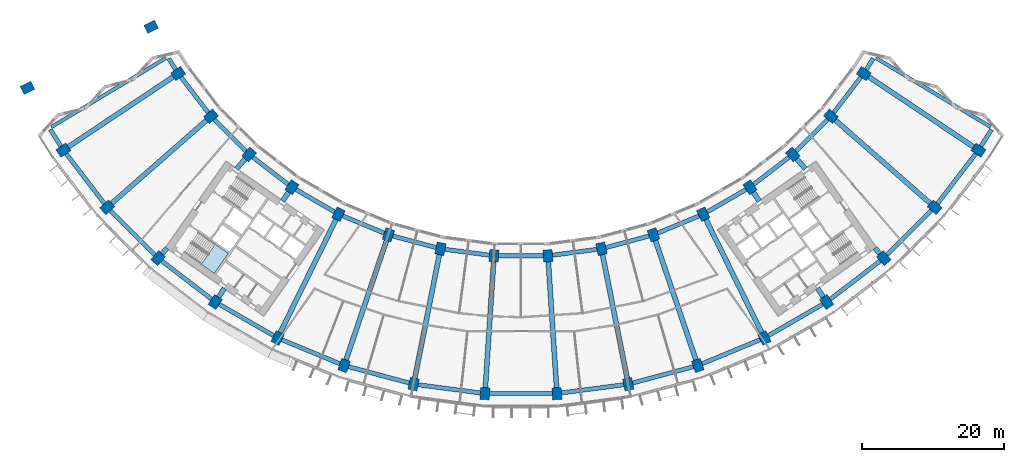
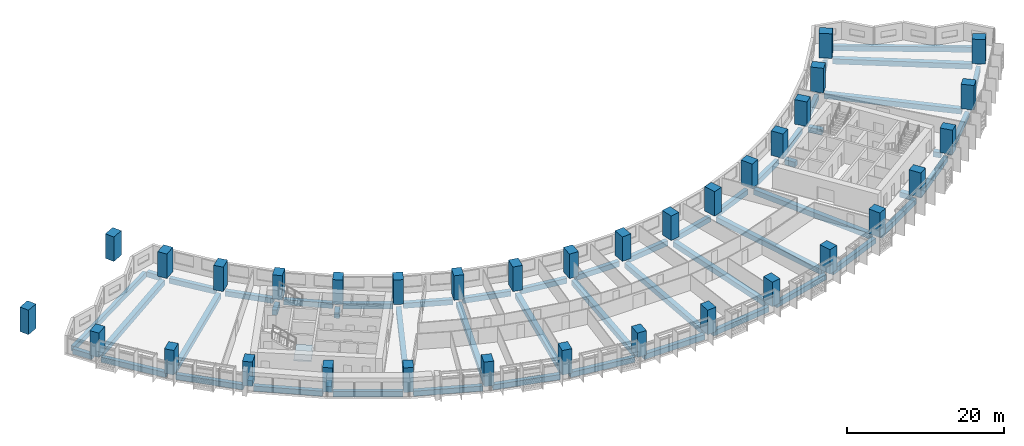
# One storey, part 1 of 31: 56 beams, 34 columns, 1 slab, 1 element without a shape of its own.
"""IFC4 building model written with IfcOpenShell, lengths in metres."""

import ifcopenshell
import ifcopenshell.guid

model = None  # the IFC model being written
_history = None  # IfcOwnerHistory: only IFC2X3 demands one
_inside = {}  # id of a spatial element -> (the spatial element, [elements in it])
_under = {}  # id of a project, library or spatial element -> (it, [spatial elements below it])
_declared = {}  # id of a project -> (the project, [libraries it declares])
_typed = {}  # id of a type object -> (the type object, [elements of that type])
_made_of = {}  # id of a material, layer set ... -> (it, [elements and type objects made of it])


def new_model(schema):
    """Start an empty IFC model of exactly this schema.

    Asked for "IFC4X3", IfcOpenShell would pick the latest addendum, in which some entities
    have other attributes; the version numbers below select the first issue.
    IFC2X3 requires an IfcOwnerHistory on every rooted entity: one is made here for all.
    """
    global model, _history
    if schema == "IFC4X3":
        model = ifcopenshell.file(schema_version=(4, 3, 0, 0))
    else:
        model = ifcopenshell.file(schema=schema)
    _inside.clear()
    _under.clear()
    _declared.clear()
    _typed.clear()
    _made_of.clear()
    _history = None
    if model.schema == "IFC2X3":
        org = make("IfcOrganization", Name="unknown")
        user = make(
            "IfcPersonAndOrganization",
            ThePerson=make("IfcPerson", FamilyName="unknown"),
            TheOrganization=org,
        )
        app = make(
            "IfcApplication",
            ApplicationDeveloper=org,
            Version="unknown",
            ApplicationFullName="unknown",
            ApplicationIdentifier="unknown",
        )
        _history = make(
            "IfcOwnerHistory",
            OwningUser=user,
            OwningApplication=app,
            ChangeAction="ADDED",
            CreationDate=0,
        )
    return model


def make(cls, **values):
    """One entity of the class cls with the attributes given. An attribute that is None is left unset."""
    return model.create_entity(
        cls, **{name: value for name, value in values.items() if value is not None}
    )


def rooted(cls, **values):
    """An entity with a GlobalId (a new one), such as an element, a storey or a relation."""
    return make(cls, GlobalId=ifcopenshell.guid.new(), OwnerHistory=_history, **values)


def si_unit(unit_type, name, prefix=None):
    """IfcSIUnit, for example si_unit("LENGTHUNIT", "METRE", prefix="MILLI")."""
    return make("IfcSIUnit", UnitType=unit_type, Prefix=prefix, Name=name)


def assignment(units):
    """IfcUnitAssignment: the units of a project."""
    return None if units is None else make("IfcUnitAssignment", Units=units)


def point(xyz):
    """IfcCartesianPoint."""
    return None if xyz is None else make("IfcCartesianPoint", Coordinates=xyz)


def direction(xyz):
    """IfcDirection."""
    return None if xyz is None else make("IfcDirection", DirectionRatios=xyz)


def frame(location, z_axis=None, x_axis=None):
    """IfcAxis2Placement3D, a coordinate frame: its origin and axes. An axis left out is left unset."""
    return make(
        "IfcAxis2Placement3D",
        Location=point(location),
        Axis=direction(z_axis),
        RefDirection=direction(x_axis),
    )


def frame_2d(location, x_axis=None):
    """IfcAxis2Placement2D, a coordinate frame in the plane: its origin and x axis."""
    return make(
        "IfcAxis2Placement2D", Location=point(location), RefDirection=direction(x_axis)
    )


def origin():
    """The frame at (0, 0, 0) with its axes left unset."""
    return frame((0.0, 0.0, 0.0))


def origin_2d():
    """The frame at (0, 0) in the plane with its x axis left unset."""
    return frame_2d((0.0, 0.0))


def place(relative_to, where):
    """IfcLocalPlacement: puts the frame where relative to a parent placement (None: the world)."""
    return make(
        "IfcLocalPlacement", PlacementRelTo=relative_to, RelativePlacement=where
    )


def context(
    kind, dimensions, precision=None, world=None, true_north=None, identifier=None
):
    """IfcGeometricRepresentationContext, for example the 3D "Model" context."""
    return make(
        "IfcGeometricRepresentationContext",
        ContextIdentifier=identifier,
        ContextType=kind,
        CoordinateSpaceDimension=dimensions,
        Precision=precision,
        WorldCoordinateSystem=world,
        TrueNorth=true_north,
    )


def subcontext(parent, identifier, kind, view, scale=None):
    """IfcGeometricRepresentationSubContext, for example "Body" below "Model"."""
    return make(
        "IfcGeometricRepresentationSubContext",
        ContextIdentifier=identifier,
        ContextType=kind,
        ParentContext=parent,
        TargetScale=scale,
        TargetView=view,
    )


def project(units=None, contexts=None):
    """IfcProject with its units and contexts."""
    return rooted(
        "IfcProject",
        Name="project",
        RepresentationContexts=contexts,
        UnitsInContext=assignment(units),
    )


def spatial(cls, under=None, at=None, **own):
    """A site, building, storey or space (cls), placed at a placement, below another one or the project."""
    s = rooted(cls, ObjectPlacement=at, **own)
    if under is not None:
        _under.setdefault(under.id(), (under, []))[1].append(s)
    return s


def polyline(points):
    """IfcPolyline through the points."""
    return make("IfcPolyline", Points=[point(p) for p in points])


def profile(cls, at=None, kind="AREA", **sizes):
    """A parametric profile (cls). Its sizes go by their IFC names, for example OverallWidth=200.0."""
    return make(cls, ProfileType=kind, Position=at, **sizes)


def rectangle(**sizes):
    """IfcRectangleProfileDef."""
    return profile("IfcRectangleProfileDef", **sizes)


def outline(outer, holes=None, kind="AREA"):
    """IfcArbitraryClosedProfileDef: a profile drawn as a closed curve; with holes, ...WithVoids."""
    if holes is None:
        return make("IfcArbitraryClosedProfileDef", ProfileType=kind, OuterCurve=outer)
    return make(
        "IfcArbitraryProfileDefWithVoids",
        ProfileType=kind,
        OuterCurve=outer,
        InnerCurves=holes,
    )


def extrude(swept, where, along, depth):
    """IfcExtrudedAreaSolid: the profile swept, set in the frame where, extruded along a direction by depth."""
    return make(
        "IfcExtrudedAreaSolid",
        SweptArea=swept,
        Position=where,
        ExtrudedDirection=direction(along),
        Depth=depth,
    )


def shape(context_of_items, identifier, shape_type, items):
    """IfcShapeRepresentation: the items that make up one representation, for example the "Body"."""
    return make(
        "IfcShapeRepresentation",
        ContextOfItems=context_of_items,
        RepresentationIdentifier=identifier,
        RepresentationType=shape_type,
        Items=items,
    )


def material(Name=None, Category=None):
    """IfcMaterial."""
    return make("IfcMaterial", Name=Name, Category=Category)


def layer(
    of_material, thickness, ventilated=None, Name=None, Category=None, Priority=None
):
    """IfcMaterialLayer: one layer of a wall or slab, of a material (None: an air gap)."""
    return make(
        "IfcMaterialLayer",
        Material=of_material,
        LayerThickness=thickness,
        IsVentilated=ventilated,
        Name=Name,
        Category=Category,
        Priority=Priority,
    )


def layer_set(layers, Name=None):
    """IfcMaterialLayerSet."""
    return make("IfcMaterialLayerSet", MaterialLayers=layers, LayerSetName=Name)


def material_profile(
    of_material, cross_section, Name=None, Category=None, Priority=None
):
    """IfcMaterialProfile: a cross section and its material."""
    return make(
        "IfcMaterialProfile",
        Name=Name,
        Material=of_material,
        Profile=cross_section,
        Priority=Priority,
        Category=Category,
    )


def profile_set(profiles, Name=None, composite=None):
    """IfcMaterialProfileSet."""
    return make(
        "IfcMaterialProfileSet",
        Name=Name,
        MaterialProfiles=profiles,
        CompositeProfile=composite,
    )


def made_of(thing, what):
    """Note that an element or type object is made of a material, layer set ...; save() writes the relation."""
    if what is not None:
        _made_of.setdefault(what.id(), (what, []))[1].append(thing)
    return thing


def type_object(cls, material=None, **own):
    """A type object (cls), such as IfcWallType, which elements share."""
    return made_of(rooted(cls, **own), material)


def element(
    cls,
    number,
    at=None,
    inside=None,
    cuts=None,
    type_object=None,
    material=None,
    context=None,
    identifier="Body",
    shape_type=None,
    held_by="IfcProductDefinitionShape",
    body=None,
    shapes=None,
    **own,
):
    """One element of the class cls, such as IfcWall. Its Tag is "e" and its number.

    at: its placement. inside: the storey or other place that contains it. cuts: it is an
    opening in that element (IfcRelVoidsElement). A single representation is given by context,
    identifier, shape_type and body (its items); several are given by shapes. held_by: the class
    of the entity that holds the representations. save() writes the other relations.
    """
    e = rooted(cls, Tag="e%d" % number, ObjectPlacement=at, **own)
    if body is not None:
        shapes = [shape(context, identifier, shape_type, body)]
    if shapes is not None:
        e.Representation = make(held_by, Representations=shapes)
    if inside is not None:
        _inside.setdefault(inside.id(), (inside, []))[1].append(e)
    if cuts is not None:
        rooted(
            "IfcRelVoidsElement", RelatingBuildingElement=cuts, RelatedOpeningElement=e
        )
    if type_object is not None:
        _typed.setdefault(type_object.id(), (type_object, []))[1].append(e)
    return made_of(e, material)


def aggregate(whole, parts):
    """IfcRelAggregates: a whole, such as a stair, and the parts it consists of."""
    return rooted("IfcRelAggregates", RelatingObject=whole, RelatedObjects=parts)


def save(model, path):
    """Write the relations noted so far, then the file.

    IfcRelAggregates (storeys below a building ...), IfcRelContainedInSpatialStructure (elements
    in a storey), IfcRelDefinesByType, IfcRelAssociatesMaterial and IfcRelDeclares: one each for
    every whole, place, type object, material and project.
    """
    for whole, parts in _under.values():
        aggregate(whole, parts)
    for where, things in _inside.values():
        rooted(
            "IfcRelContainedInSpatialStructure",
            RelatedElements=things,
            RelatingStructure=where,
        )
    for kind, things in _typed.values():
        rooted("IfcRelDefinesByType", RelatedObjects=things, RelatingType=kind)
    for what, things in _made_of.values():
        rooted("IfcRelAssociatesMaterial", RelatedObjects=things, RelatingMaterial=what)
    for by, libraries in _declared.values():
        rooted("IfcRelDeclares", RelatingContext=by, RelatedDefinitions=libraries)
    model.write(path)


model = new_model("IFC4")

# Units and contexts
model_context = context("Model", 3, precision=1e-05, world=origin(), true_north=direction((0.0, 1.0)))
body_context = subcontext(model_context, "Body", "Model", "MODEL_VIEW")
ifc_project = project(units=[si_unit("LENGTHUNIT", "METRE"), si_unit("AREAUNIT", "SQUARE_METRE"), si_unit("VOLUMEUNIT", "CUBIC_METRE"), si_unit("PLANEANGLEUNIT", "RADIAN"), si_unit("MASSUNIT", "GRAM", prefix="KILO")], contexts=[model_context])

# Site, building, storey
site_placement = place(None, origin())
site = spatial("IfcSite", under=ifc_project, at=site_placement, CompositionType="ELEMENT")
building_placement = place(site_placement, origin())
building = spatial("IfcBuilding", under=site, at=building_placement, Name="Qamariyya Broadcast Tower", CompositionType="ELEMENT")
storey_placement = place(building_placement, frame((0.0, 0.0, 86.10009765625)))
storey = spatial("IfcBuildingStorey", under=building, at=storey_placement, Name="L18", CompositionType="ELEMENT", Elevation=86.10009765625)

# Columns
ifc_material_1 = material(Name="Concrete C70/85", Category="concrete")
ifc_material_profile_1 = material_profile(ifc_material_1, rectangle(XDim=1.300048828125, YDim=1.699951171875, at=origin_2d()))
ifc_profile_set_1 = profile_set([ifc_material_profile_1], Name="Concrete C70/85")
column_type = type_object("IfcColumnType", Name="RC column 1300 x 1700 C70/85", PredefinedType="COLUMN", material=ifc_profile_set_1)
for number, where, z_axis, x_axis, name in (
    (1, (-48.43310546875, -32.362060546875, 0.0), (0.0, 0.0, 1.0), (0.55557023302, -0.831469612303, 0.0), "Column C5 L18 B-R03"),
    (2, (-64.646728515625, -43.195556640625, 0.0), (0.0, 0.0, 1.0), (0.55557023302, -0.831469612303, 0.0), "Column C5 L18 C-R03"),
    (3, (-43.794677734375, -38.406982421875, 0.0), (0.0, 0.0, 1.0), (0.6593458151, -0.751839807479, 0.0), "Column C5 L18 B-R04"),
    (4, (-58.45556640625, -51.26416015625, 0.0), (0.0, 0.0, 1.0), (0.6593458151, -0.751839807479, 0.0), "Column C5 L18 C-R04"),
    (5, (-38.406982421875, -43.794677734375, 0.0), (0.0, 0.0, 1.0), (0.751839807479, -0.6593458151, 0.0), "Column C5 L18 B-R05"),
    (6, (-51.26416015625, -58.45556640625, 0.0), (0.0, 0.0, 1.0), (0.751839807479, -0.6593458151, 0.0), "Column C5 L18 C-R05"),
    (7, (-32.362060546875, -48.43310546875, 0.0), (0.0, 0.0, 1.0), (0.831469612303, -0.55557023302, 0.0), "Column C5 L18 B-R06"),
    (8, (-43.195556640625, -64.646728515625, 0.0), (0.0, 0.0, 1.0), (0.831469612303, -0.55557023302, 0.0), "Column C5 L18 C-R06"),
    (9, (-25.763427734375, -52.242919921875, 0.0), (0.0, 0.0, 1.0), (0.896872741533, -0.442288690219, 0.0), "Column C5 L18 B-R07"),
    (10, (-34.387939453125, -69.73193359375, 0.0), (0.0, 0.0, 1.0), (0.896872741533, -0.442288690219, 0.0), "Column C5 L18 C-R07"),
    (11, (-18.723876953125, -55.15869140625, 0.0), (0.0, 0.0, 1.0), (0.946930129495, -0.321439465303, 0.0), "Column C5 L18 B-R08"),
    (12, (-24.991943359375, -73.623779296875, 0.0), (0.0, 0.0, 1.0), (0.946930129495, -0.321439465303, 0.0), "Column C5 L18 C-R08"),
    (13, (-11.364013671875, -57.130859375, 0.0), (0.0, 0.0, 1.0), (0.980785280403, -0.195090322016, 0.0), "Column C5 L18 B-R09"),
    (14, (-15.168212890625, -76.256103515625, 0.0), (0.0, 0.0, 1.0), (0.980785280403, -0.195090322016, 0.0), "Column C5 L18 C-R09"),
    (15, (-3.809814453125, -58.125244140625, 0.0), (0.0, 0.0, 1.0), (0.997858923239, -0.06540312923, 0.0), "Column C5 L18 B-R10"),
    (16, (-5.085205078125, -77.58349609375, 0.0), (0.0, 0.0, 1.0), (0.997858923239, -0.06540312923, 0.0), "Column C5 L18 C-R10"),
    (17, (3.809814453125, -58.125244140625, 0.0), (0.0, 0.0, 1.0), (0.997858923239, 0.06540312923, 0.0), "Column C5 L18 B-R11"),
    (18, (5.085205078125, -77.58349609375, 0.0), (0.0, 0.0, 1.0), (0.997858923239, 0.06540312923, 0.0), "Column C5 L18 C-R11"),
    (19, (11.364013671875, -57.130859375, 0.0), (0.0, 0.0, 1.0), (0.980785280403, 0.195090322016, 0.0), "Column C5 L18 B-R12"),
    (20, (15.168212890625, -76.256103515625, 0.0), (0.0, 0.0, 1.0), (0.980785280403, 0.195090322016, 0.0), "Column C5 L18 C-R12"),
    (21, (18.723876953125, -55.15869140625, 0.0), (0.0, 0.0, 1.0), (0.946930129495, 0.321439465303, 0.0), "Column C5 L18 B-R13"),
    (22, (24.991943359375, -73.623779296875, 0.0), (0.0, 0.0, 1.0), (0.946930129495, 0.321439465303, 0.0), "Column C5 L18 C-R13"),
    (23, (25.763427734375, -52.242919921875, 0.0), (0.0, 0.0, 1.0), (0.896872741533, 0.442288690219, 0.0), "Column C5 L18 B-R14"),
    (24, (34.387939453125, -69.73193359375, 0.0), (0.0, 0.0, 1.0), (0.896872741533, 0.442288690219, 0.0), "Column C5 L18 C-R14"),
    (25, (32.362060546875, -48.43310546875, 0.0), (0.0, 0.0, 1.0), (0.831469612303, 0.55557023302, 0.0), "Column C5 L18 B-R15"),
    (26, (43.195556640625, -64.646728515625, 0.0), (0.0, 0.0, 1.0), (0.831469612303, 0.55557023302, 0.0), "Column C5 L18 C-R15"),
    (27, (38.406982421875, -43.794677734375, 0.0), (0.0, 0.0, 1.0), (0.751839807479, 0.6593458151, 0.0), "Column C5 L18 B-R16"),
    (28, (51.26416015625, -58.45556640625, 0.0), (0.0, 0.0, 1.0), (0.751839807479, 0.6593458151, 0.0), "Column C5 L18 C-R16"),
    (29, (43.794677734375, -38.406982421875, 0.0), (0.0, 0.0, 1.0), (0.6593458151, 0.751839807479, 0.0), "Column C5 L18 B-R17"),
    (30, (58.45556640625, -51.26416015625, 0.0), (0.0, 0.0, 1.0), (0.6593458151, 0.751839807479, 0.0), "Column C5 L18 C-R17"),
    (31, (48.43310546875, -32.362060546875, 0.0), (0.0, 0.0, 1.0), (0.55557023302, 0.831469612303, 0.0), "Column C5 L18 B-R18"),
    (32, (64.646728515625, -43.195556640625, 0.0), (0.0, 0.0, 1.0), (0.55557023302, 0.831469612303, 0.0), "Column C5 L18 C-R18"),
    (33, (-52.242919921875, -25.763427734375, 0.0), (0.0, 0.0, 1.0), (0.442288690219, -0.896872741533, 0.0), "Column C5 L18 B-R02"),
    (34, (-69.73193359375, -34.387939453125, 0.0), (0.0, 0.0, 1.0), (0.442288690219, -0.896872741533, 0.0), "Column C5 L18 C-R02"),
):
    element("IfcColumn", number, at=place(storey_placement, frame(where, z_axis=z_axis, x_axis=x_axis)), inside=storey, type_object=column_type, Name=name, PredefinedType="COLUMN", context=body_context, shape_type="SweptSolid", body=[
        extrude(rectangle(XDim=1.300048828125, YDim=1.699951171875, at=origin_2d()), origin(), (0.0, 0.0, 1.0), 3.7998046875),
    ])

# Beams
ifc_material_2 = material(Name="Concrete C50/60", Category="concrete")
ifc_material_profile_2 = material_profile(ifc_material_2, rectangle(XDim=0.60009765625, YDim=0.800048828125, at=origin_2d()))
ifc_profile_set_2 = profile_set([ifc_material_profile_2], Name="Concrete C50/60")
beam_type_1 = type_object("IfcBeamType", Name="RC edge beam 600 x 800 C50/60", PredefinedType="SPANDREL", material=ifc_profile_set_2)
beam_1_placement = place(storey_placement, frame((-48.03662109375, -32.878662109375, -0.7001953125), z_axis=(0.608763348773, -0.7933518672, 0.0), x_axis=(0.7933518672, 0.608763348773, 0.0)))
element("IfcBeam", 35, at=beam_1_placement, inside=storey, type_object=beam_type_1, Name="Edge beam B6 L18 B R03-R04", PredefinedType="SPANDREL", context=body_context, shape_type="SweptSolid", body=[
    extrude(rectangle(XDim=0.60009765625, YDim=0.800048828125, at=origin_2d()), origin(), (0.0, 0.0, 1.0), 6.31689453125),
])
beam_2_placement = place(storey_placement, frame((-43.333984375, -38.867431640625, -0.7001953125), z_axis=(0.707106781187, -0.707106781187, 0.0), x_axis=(0.707106781187, 0.707106781187, 0.0)))
element("IfcBeam", 36, at=beam_2_placement, inside=storey, type_object=beam_type_1, Name="Edge beam B6 L18 B R04-R05", PredefinedType="SPANDREL", context=body_context, shape_type="SweptSolid", body=[
    extrude(rectangle(XDim=0.60009765625, YDim=0.800048828125, at=origin_2d()), origin(), (0.0, 0.0, 1.0), 6.316650390625),
])
for number, where, z_axis, x_axis, name in (
    (37, (-37.89013671875, -44.191162109375, -0.7001953125), (0.7933518672, -0.608763348773, 0.0), (0.608763348773, 0.7933518672, 0.0), "Edge beam B6 L18 B R05-R06"),
    (38, (-31.7978515625, -48.7587890625, -0.7001953125), (0.866020173512, -0.500009058987, 0.0), (0.500009058987, 0.866020173512, 0.0), "Edge beam B6 L18 B R06-R07"),
):
    element("IfcBeam", number, at=place(storey_placement, frame(where, z_axis=z_axis, x_axis=x_axis)), inside=storey, type_object=beam_type_1, Name=name, PredefinedType="SPANDREL", context=body_context, shape_type="SweptSolid", body=[
        extrude(rectangle(XDim=0.60009765625, YDim=0.800048828125, at=origin_2d()), origin(), (0.0, 0.0, 1.0), 6.31689453125),
    ])
for number, where, z_axis, x_axis, name in (
    (39, (-25.16162109375, -52.4921875, -0.7001953125), (0.923884465345, -0.382671523234, 0.0), (0.382671523234, 0.923884465345, 0.0), "Edge beam B6 L18 B R07-R08"),
    (40, (-18.0947265625, -55.327392578125, -0.7001953125), (0.965931490327, -0.258797905699, 0.0), (0.258797905699, 0.965931490327, 0.0), "Edge beam B6 L18 B R08-R09"),
    (41, (-10.71826171875, -57.2158203125, -0.7001953125), (0.991445610946, -0.130520498525, 0.0), (0.130520498525, 0.991445610946, 0.0), "Edge beam B6 L18 B R09-R10"),
):
    element("IfcBeam", number, at=place(storey_placement, frame(where, z_axis=z_axis, x_axis=x_axis)), inside=storey, type_object=beam_type_1, Name=name, PredefinedType="SPANDREL", context=body_context, shape_type="SweptSolid", body=[
        extrude(rectangle(XDim=0.60009765625, YDim=0.800048828125, at=origin_2d()), origin(), (0.0, 0.0, 1.0), 6.316650390625),
    ])
beam_3_placement = place(storey_placement, frame((-3.158447265625, -58.125244140625, -0.7001953125), z_axis=(1.0, 0.0, 0.0), x_axis=(0.0, 1.0, 0.0)))
element("IfcBeam", 42, at=beam_3_placement, inside=storey, type_object=beam_type_1, Name="Edge beam B6 L18 B R10-R11", PredefinedType="SPANDREL", context=body_context, shape_type="SweptSolid", body=[
    extrude(rectangle(XDim=0.60009765625, YDim=0.800048828125, at=origin_2d()), origin(), (0.0, 0.0, 1.0), 6.31689453125),
])
for number, where, z_axis, x_axis, name in (
    (43, (4.45556640625, -58.040283203125, -0.7001953125), (0.991445610946, 0.130520498525, 0.0), (-0.130520498525, 0.991445610946, 0.0), "Edge beam B6 L18 B R11-R12"),
    (44, (11.9931640625, -56.962158203125, -0.7001953125), (0.965931490327, 0.258797905699, 0.0), (-0.258797905699, 0.965931490327, 0.0), "Edge beam B6 L18 B R12-R13"),
    (45, (19.32568359375, -54.909423828125, -0.7001953125), (0.923884465345, 0.382671523234, 0.0), (-0.382671523234, 0.923884465345, 0.0), "Edge beam B6 L18 B R13-R14"),
):
    element("IfcBeam", number, at=place(storey_placement, frame(where, z_axis=z_axis, x_axis=x_axis)), inside=storey, type_object=beam_type_1, Name=name, PredefinedType="SPANDREL", context=body_context, shape_type="SweptSolid", body=[
        extrude(rectangle(XDim=0.60009765625, YDim=0.800048828125, at=origin_2d()), origin(), (0.0, 0.0, 1.0), 6.316650390625),
    ])
for number, where, z_axis, x_axis, name in (
    (46, (26.327392578125, -51.917236328125, -0.7001953125), (0.866020173512, 0.500009058987, 0.0), (-0.500009058987, 0.866020173512, 0.0), "Edge beam B6 L18 B R14-R15"),
    (47, (32.878662109375, -48.03662109375, -0.7001953125), (0.7933518672, 0.608763348773, 0.0), (-0.608763348773, 0.7933518672, 0.0), "Edge beam B6 L18 B R15-R16"),
):
    element("IfcBeam", number, at=place(storey_placement, frame(where, z_axis=z_axis, x_axis=x_axis)), inside=storey, type_object=beam_type_1, Name=name, PredefinedType="SPANDREL", context=body_context, shape_type="SweptSolid", body=[
        extrude(rectangle(XDim=0.60009765625, YDim=0.800048828125, at=origin_2d()), origin(), (0.0, 0.0, 1.0), 6.31689453125),
    ])
beam_4_placement = place(storey_placement, frame((38.867431640625, -43.333984375, -0.7001953125), z_axis=(0.707106781187, 0.707106781187, 0.0), x_axis=(-0.707106781187, 0.707106781187, 0.0)))
element("IfcBeam", 48, at=beam_4_placement, inside=storey, type_object=beam_type_1, Name="Edge beam B6 L18 B R16-R17", PredefinedType="SPANDREL", context=body_context, shape_type="SweptSolid", body=[
    extrude(rectangle(XDim=0.60009765625, YDim=0.800048828125, at=origin_2d()), origin(), (0.0, 0.0, 1.0), 6.316650390625),
])
beam_5_placement = place(storey_placement, frame((44.191162109375, -37.89013671875, -0.7001953125), z_axis=(0.608763348773, 0.7933518672, 0.0), x_axis=(-0.7933518672, 0.608763348773, 0.0)))
element("IfcBeam", 49, at=beam_5_placement, inside=storey, type_object=beam_type_1, Name="Edge beam B6 L18 B R17-R18", PredefinedType="SPANDREL", context=body_context, shape_type="SweptSolid", body=[
    extrude(rectangle(XDim=0.60009765625, YDim=0.800048828125, at=origin_2d()), origin(), (0.0, 0.0, 1.0), 6.31689453125),
])
beam_6_placement = place(storey_placement, frame((-64.250244140625, -43.71240234375, -0.7001953125), z_axis=(0.608769622928, -0.793347052809, 0.0), x_axis=(0.793347052809, 0.608769622928, 0.0)))
element("IfcBeam", 50, at=beam_6_placement, inside=storey, type_object=beam_type_1, Name="Edge beam B6 L18 C R03-R04", PredefinedType="SPANDREL", context=body_context, shape_type="SweptSolid", body=[
    extrude(rectangle(XDim=0.60009765625, YDim=0.800048828125, at=origin_2d()), origin(), (0.0, 0.0, 1.0), 8.867431640625),
])
beam_7_placement = place(storey_placement, frame((-57.994873046875, -51.724853515625, -0.7001953125), z_axis=(0.707106781187, -0.707106781187, 0.0), x_axis=(0.707106781187, 0.707106781187, 0.0)))
element("IfcBeam", 51, at=beam_7_placement, inside=storey, type_object=beam_type_1, Name="Edge beam B6 L18 C R04-R05", PredefinedType="SPANDREL", context=body_context, shape_type="SweptSolid", body=[
    extrude(rectangle(XDim=0.60009765625, YDim=0.800048828125, at=origin_2d()), origin(), (0.0, 0.0, 1.0), 8.8671875),
])
beam_8_placement = place(storey_placement, frame((-50.747314453125, -58.85205078125, -0.7001953125), z_axis=(0.793347052809, -0.608769622928, 0.0), x_axis=(0.608769622928, 0.793347052809, 0.0)))
element("IfcBeam", 52, at=beam_8_placement, inside=storey, type_object=beam_type_1, Name="Edge beam B6 L18 C R05-R06", PredefinedType="SPANDREL", context=body_context, shape_type="SweptSolid", body=[
    extrude(rectangle(XDim=0.60009765625, YDim=0.800048828125, at=origin_2d()), origin(), (0.0, 0.0, 1.0), 8.867431640625),
])
beam_9_placement = place(storey_placement, frame((-42.63134765625, -64.972412109375, -0.7001953125), z_axis=(0.866013187848, -0.500021158025, 0.0), x_axis=(0.500021158025, 0.866013187848, 0.0)))
element("IfcBeam", 53, at=beam_9_placement, inside=storey, type_object=beam_type_1, Name="Edge beam B6 L18 C R06-R07", PredefinedType="SPANDREL", context=body_context, shape_type="SweptSolid", body=[
    extrude(rectangle(XDim=0.60009765625, YDim=0.800048828125, at=origin_2d()), origin(), (0.0, 0.0, 1.0), 8.8671875),
])
for number, where, z_axis, x_axis, name in (
    (54, (-33.7861328125, -69.981201171875, -0.7001953125), (0.923882942367, -0.382675200142, 0.0), (0.382675200142, 0.923882942367, 0.0), "Edge beam B6 L18 C R07-R08"),
    (55, (-24.36279296875, -73.79248046875, -0.7001953125), (0.965930847021, -0.258800306749, 0.0), (0.258800306749, 0.965930847021, 0.0), "Edge beam B6 L18 C R08-R09"),
    (56, (-14.5224609375, -76.341064453125, -0.7001953125), (0.991444171706, -0.13053143066, 0.0), (0.13053143066, 0.991444171706, 0.0), "Edge beam B6 L18 C R09-R10"),
):
    element("IfcBeam", number, at=place(storey_placement, frame(where, z_axis=z_axis, x_axis=x_axis)), inside=storey, type_object=beam_type_1, Name=name, PredefinedType="SPANDREL", context=body_context, shape_type="SweptSolid", body=[
        extrude(rectangle(XDim=0.60009765625, YDim=0.800048828125, at=origin_2d()), origin(), (0.0, 0.0, 1.0), 8.867431640625),
    ])
beam_10_placement = place(storey_placement, frame((-4.43359375, -77.58349609375, -0.7001953125), z_axis=(1.0, 0.0, 0.0), x_axis=(0.0, 1.0, 0.0)))
element("IfcBeam", 57, at=beam_10_placement, inside=storey, type_object=beam_type_1, Name="Edge beam B6 L18 C R10-R11", PredefinedType="SPANDREL", context=body_context, shape_type="SweptSolid", body=[
    extrude(rectangle(XDim=0.60009765625, YDim=0.800048828125, at=origin_2d()), origin(), (0.0, 0.0, 1.0), 8.8671875),
])
for number, where, z_axis, x_axis, name in (
    (58, (5.73095703125, -77.49853515625, -0.7001953125), (0.991444171706, 0.13053143066, 0.0), (-0.13053143066, 0.991444171706, 0.0), "Edge beam B6 L18 C R11-R12"),
    (59, (15.79736328125, -76.08740234375, -0.7001953125), (0.965930847021, 0.258800306749, 0.0), (-0.258800306749, 0.965930847021, 0.0), "Edge beam B6 L18 C R12-R13"),
    (60, (25.59375, -73.37451171875, -0.7001953125), (0.923882942367, 0.382675200142, 0.0), (-0.382675200142, 0.923882942367, 0.0), "Edge beam B6 L18 C R13-R14"),
):
    element("IfcBeam", number, at=place(storey_placement, frame(where, z_axis=z_axis, x_axis=x_axis)), inside=storey, type_object=beam_type_1, Name=name, PredefinedType="SPANDREL", context=body_context, shape_type="SweptSolid", body=[
        extrude(rectangle(XDim=0.60009765625, YDim=0.800048828125, at=origin_2d()), origin(), (0.0, 0.0, 1.0), 8.867431640625),
    ])
beam_11_placement = place(storey_placement, frame((34.9521484375, -69.40625, -0.7001953125), z_axis=(0.866013187848, 0.500021158025, 0.0), x_axis=(-0.500021158025, 0.866013187848, 0.0)))
element("IfcBeam", 61, at=beam_11_placement, inside=storey, type_object=beam_type_1, Name="Edge beam B6 L18 C R14-R15", PredefinedType="SPANDREL", context=body_context, shape_type="SweptSolid", body=[
    extrude(rectangle(XDim=0.60009765625, YDim=0.800048828125, at=origin_2d()), origin(), (0.0, 0.0, 1.0), 8.8671875),
])
beam_12_placement = place(storey_placement, frame((43.71240234375, -64.250244140625, -0.7001953125), z_axis=(0.793347052809, 0.608769622928, 0.0), x_axis=(-0.608769622928, 0.793347052809, 0.0)))
element("IfcBeam", 62, at=beam_12_placement, inside=storey, type_object=beam_type_1, Name="Edge beam B6 L18 C R15-R16", PredefinedType="SPANDREL", context=body_context, shape_type="SweptSolid", body=[
    extrude(rectangle(XDim=0.60009765625, YDim=0.800048828125, at=origin_2d()), origin(), (0.0, 0.0, 1.0), 8.867431640625),
])
beam_13_placement = place(storey_placement, frame((51.724853515625, -57.994873046875, -0.7001953125), z_axis=(0.707106781187, 0.707106781187, 0.0), x_axis=(-0.707106781187, 0.707106781187, 0.0)))
element("IfcBeam", 63, at=beam_13_placement, inside=storey, type_object=beam_type_1, Name="Edge beam B6 L18 C R16-R17", PredefinedType="SPANDREL", context=body_context, shape_type="SweptSolid", body=[
    extrude(rectangle(XDim=0.60009765625, YDim=0.800048828125, at=origin_2d()), origin(), (0.0, 0.0, 1.0), 8.8671875),
])
beam_14_placement = place(storey_placement, frame((58.85205078125, -50.747314453125, -0.7001953125), z_axis=(0.608769622928, 0.793347052809, 0.0), x_axis=(-0.793347052809, 0.608769622928, 0.0)))
element("IfcBeam", 64, at=beam_14_placement, inside=storey, type_object=beam_type_1, Name="Edge beam B6 L18 C R17-R18", PredefinedType="SPANDREL", context=body_context, shape_type="SweptSolid", body=[
    extrude(rectangle(XDim=0.60009765625, YDim=0.800048828125, at=origin_2d()), origin(), (0.0, 0.0, 1.0), 8.867431640625),
])
ifc_material_profile_3 = material_profile(ifc_material_2, rectangle(XDim=0.60009765625, YDim=0.800048828125, at=origin_2d()))
ifc_profile_set_3 = profile_set([ifc_material_profile_3], Name="Concrete C50/60")
beam_type_2 = type_object("IfcBeamType", Name="RC horn beam 600 x 800 C50/60", PredefinedType="BEAM", material=ifc_profile_set_3)
beam_15_placement = place(storey_placement, frame((-48.781494140625, -31.81298828125, -0.7001953125), z_axis=(-0.535669787707, 0.844427544872, 0.0), x_axis=(-0.844427544872, -0.535669787707, 0.0)))
element("IfcBeam", 65, at=beam_15_placement, inside=storey, type_object=beam_type_2, Name="Horn beam B7 L18 W B-R03", PredefinedType="BEAM", context=body_context, shape_type="SweptSolid", body=[
    extrude(rectangle(XDim=0.60009765625, YDim=0.800048828125, at=origin_2d()), origin(), (0.0, 0.0, 1.0), 1.861328125),
])
beam_16_placement = place(storey_placement, frame((-64.9951171875, -42.646484375, -0.7001953125), z_axis=(-0.535729520489, 0.844389649911, 0.0), x_axis=(-0.844389649911, -0.535729520489, 0.0)))
element("IfcBeam", 66, at=beam_16_placement, inside=storey, type_object=beam_type_2, Name="Horn beam B7 L18 W C-R03", PredefinedType="BEAM", context=body_context, shape_type="SweptSolid", body=[
    extrude(rectangle(XDim=0.60009765625, YDim=0.800048828125, at=origin_2d()), origin(), (0.0, 0.0, 1.0), 2.785888671875),
])
beam_17_placement = place(storey_placement, frame((48.781494140625, -31.81298828125, -0.7001953125), z_axis=(0.535669787707, 0.844427544872, 0.0), x_axis=(-0.844427544872, 0.535669787707, 0.0)))
element("IfcBeam", 67, at=beam_17_placement, inside=storey, type_object=beam_type_2, Name="Horn beam B7 L18 E B-R18", PredefinedType="BEAM", context=body_context, shape_type="SweptSolid", body=[
    extrude(rectangle(XDim=0.60009765625, YDim=0.800048828125, at=origin_2d()), origin(), (0.0, 0.0, 1.0), 1.861328125),
])
beam_18_placement = place(storey_placement, frame((64.9951171875, -42.646484375, -0.7001953125), z_axis=(0.535729520489, 0.844389649911, 0.0), x_axis=(-0.844389649911, 0.535729520489, 0.0)))
element("IfcBeam", 68, at=beam_18_placement, inside=storey, type_object=beam_type_2, Name="Horn beam B7 L18 E C-R18", PredefinedType="BEAM", context=body_context, shape_type="SweptSolid", body=[
    extrude(rectangle(XDim=0.60009765625, YDim=0.800048828125, at=origin_2d()), origin(), (0.0, 0.0, 1.0), 2.785888671875),
])
ifc_material_profile_4 = material_profile(ifc_material_2, rectangle(XDim=0.5, YDim=0.800048828125, at=origin_2d()))
ifc_profile_set_4 = profile_set([ifc_material_profile_4], Name="Concrete C50/60")
beam_type_3 = type_object("IfcBeamType", Name="RC horn cap beam 500 x 800 C50/60", PredefinedType="BEAM", material=ifc_profile_set_4)
for number, where, z_axis, x_axis, name in (
    (69, (-50.169677734375, -30.1845703125, -0.7001953125), (-0.856867695985, -0.515536372701, 0.0), (0.515536372701, -0.856867695985, 0.0), "Horn cap beam B8 L18 W B-C"),
    (70, (50.169677734375, -30.1845703125, -0.7001953125), (0.856867695985, -0.515536372701, 0.0), (0.515536372701, 0.856867695985, 0.0), "Horn cap beam B8 L18 E B-C"),
):
    element("IfcBeam", number, at=place(storey_placement, frame(where, z_axis=z_axis, x_axis=x_axis)), inside=storey, type_object=beam_type_3, Name=name, PredefinedType="BEAM", context=body_context, shape_type="SweptSolid", body=[
        extrude(rectangle(XDim=0.5, YDim=0.800048828125, at=origin_2d()), origin(), (0.0, 0.0, 1.0), 18.900146484375),
    ])
ifc_material_profile_5 = material_profile(ifc_material_2, rectangle(XDim=0.699951171875, YDim=0.800048828125, at=origin_2d()))
ifc_profile_set_5 = profile_set([ifc_material_profile_5], Name="Concrete C50/60")
beam_type_4 = type_object("IfcBeamType", Name="RC radial beam 700 x 800 C50/60", PredefinedType="BEAM", material=ifc_profile_set_5)
for number, where, z_axis, x_axis, name in (
    (71, (-49.139892578125, -32.834228515625, -0.7001953125), (-0.831467440413, -0.555573483469, 0.0), (0.555573483469, -0.831467440413, 0.0), "Radial beam B5 L18 R03 B-C"),
    (72, (-44.433837890625, -38.96728515625, -0.7001953125), (-0.751836168626, -0.659349964393, 0.0), (0.659349964393, -0.751836168626, 0.0), "Radial beam B5 L18 R04 B-C"),
):
    element("IfcBeam", number, at=place(storey_placement, frame(where, z_axis=z_axis, x_axis=x_axis)), inside=storey, type_object=beam_type_4, Name=name, PredefinedType="BEAM", context=body_context, shape_type="SweptSolid", body=[
        extrude(rectangle(XDim=0.699951171875, YDim=0.800048828125, at=origin_2d()), origin(), (0.0, 0.0, 1.0), 17.7998046875),
    ])
beam_19_placement = place(storey_placement, frame((-38.96728515625, -44.433837890625, -0.7001953125), z_axis=(-0.659385827408, -0.751804715743, 0.0), x_axis=(0.751804715743, -0.659385827408, 0.0)))
element("IfcBeam", 73, at=beam_19_placement, inside=storey, type_object=beam_type_4, Name="Radial beam B5 L18 R05 B-C", PredefinedType="BEAM", context=body_context, shape_type="SweptSolid", body=[
    extrude(rectangle(XDim=0.699951171875, YDim=0.800048828125, at=origin_2d()), origin(), (0.0, 0.0, 1.0), 1.8623046875),
])
beam_20_placement = place(storey_placement, frame((-50.011962890625, -57.027587890625, -0.7001953125), z_axis=(-0.659278599496, -0.751898748667, 0.0), x_axis=(0.751898748667, -0.659278599496, 0.0)))
element("IfcBeam", 74, at=beam_20_placement, inside=storey, type_object=beam_type_4, Name="Radial beam B5 L18 R05 B-C", PredefinedType="BEAM", context=body_context, shape_type="SweptSolid", body=[
    extrude(rectangle(XDim=0.699951171875, YDim=0.800048828125, at=origin_2d()), origin(), (0.0, 0.0, 1.0), 1.049072265625),
])
beam_21_placement = place(storey_placement, frame((-32.834228515625, -49.139892578125, -0.7001953125), z_axis=(-0.555518362002, -0.831504269068, 0.0), x_axis=(0.831504269068, -0.555518362002, 0.0)))
element("IfcBeam", 75, at=beam_21_placement, inside=storey, type_object=beam_type_4, Name="Radial beam B5 L18 R06 B-C", PredefinedType="BEAM", context=body_context, shape_type="SweptSolid", body=[
    extrude(rectangle(XDim=0.699951171875, YDim=0.800048828125, at=origin_2d()), origin(), (0.0, 0.0, 1.0), 1.514404296875),
])
beam_22_placement = place(storey_placement, frame((-41.89990234375, -62.707763671875, -0.7001953125), z_axis=(-0.555650227013, -0.831416156459, 0.0), x_axis=(0.831416156459, -0.555650227013, 0.0)))
element("IfcBeam", 76, at=beam_22_placement, inside=storey, type_object=beam_type_4, Name="Radial beam B5 L18 R06 B-C", PredefinedType="BEAM", context=body_context, shape_type="SweptSolid", body=[
    extrude(rectangle(XDim=0.699951171875, YDim=0.800048828125, at=origin_2d()), origin(), (0.0, 0.0, 1.0), 1.48193359375),
])
beam_23_placement = place(storey_placement, frame((-26.13916015625, -53.005126953125, -0.7001953125), z_axis=(-0.442291123934, -0.896871541353, 0.0), x_axis=(0.896871541353, -0.442291123934, 0.0)))
element("IfcBeam", 77, at=beam_23_placement, inside=storey, type_object=beam_type_4, Name="Radial beam B5 L18 R07 B-C", PredefinedType="BEAM", context=body_context, shape_type="SweptSolid", body=[
    extrude(rectangle(XDim=0.699951171875, YDim=0.800048828125, at=origin_2d()), origin(), (0.0, 0.0, 1.0), 17.800048828125),
])
beam_24_placement = place(storey_placement, frame((-18.9970703125, -55.963623046875, -0.7001953125), z_axis=(-0.321444599042, -0.94692838681, 0.0), x_axis=(0.94692838681, -0.321444599042, 0.0)))
element("IfcBeam", 78, at=beam_24_placement, inside=storey, type_object=beam_type_4, Name="Radial beam B5 L18 R08 B-C", PredefinedType="BEAM", context=body_context, shape_type="SweptSolid", body=[
    extrude(rectangle(XDim=0.699951171875, YDim=0.800048828125, at=origin_2d()), origin(), (0.0, 0.0, 1.0), 17.7998046875),
])
for number, where, z_axis, x_axis, name in (
    (79, (-11.52978515625, -57.96435546875, -0.7001953125), (-0.19509262344, -0.980784822619, 0.0), (0.980784822619, -0.19509262344, 0.0), "Radial beam B5 L18 R09 B-C"),
    (80, (-3.865234375, -58.973388671875, -0.7001953125), (-0.0654101824, -0.997858460924, 0.0), (0.997858460924, -0.0654101824, 0.0), "Radial beam B5 L18 R10 B-C"),
    (81, (3.865234375, -58.973388671875, -0.7001953125), (0.0654101824, -0.997858460924, 0.0), (0.997858460924, 0.0654101824, 0.0), "Radial beam B5 L18 R11 B-C"),
    (82, (11.52978515625, -57.96435546875, -0.7001953125), (0.19509262344, -0.980784822619, 0.0), (0.980784822619, 0.19509262344, 0.0), "Radial beam B5 L18 R12 B-C"),
):
    element("IfcBeam", number, at=place(storey_placement, frame(where, z_axis=z_axis, x_axis=x_axis)), inside=storey, type_object=beam_type_4, Name=name, PredefinedType="BEAM", context=body_context, shape_type="SweptSolid", body=[
        extrude(rectangle(XDim=0.699951171875, YDim=0.800048828125, at=origin_2d()), origin(), (0.0, 0.0, 1.0), 17.800048828125),
    ])
beam_25_placement = place(storey_placement, frame((18.9970703125, -55.963623046875, -0.7001953125), z_axis=(0.321444599042, -0.94692838681, 0.0), x_axis=(0.94692838681, 0.321444599042, 0.0)))
element("IfcBeam", 83, at=beam_25_placement, inside=storey, type_object=beam_type_4, Name="Radial beam B5 L18 R13 B-C", PredefinedType="BEAM", context=body_context, shape_type="SweptSolid", body=[
    extrude(rectangle(XDim=0.699951171875, YDim=0.800048828125, at=origin_2d()), origin(), (0.0, 0.0, 1.0), 17.7998046875),
])
beam_26_placement = place(storey_placement, frame((26.13916015625, -53.005126953125, -0.7001953125), z_axis=(0.442291123934, -0.896871541353, 0.0), x_axis=(0.896871541353, 0.442291123934, 0.0)))
element("IfcBeam", 84, at=beam_26_placement, inside=storey, type_object=beam_type_4, Name="Radial beam B5 L18 R14 B-C", PredefinedType="BEAM", context=body_context, shape_type="SweptSolid", body=[
    extrude(rectangle(XDim=0.699951171875, YDim=0.800048828125, at=origin_2d()), origin(), (0.0, 0.0, 1.0), 17.800048828125),
])
beam_27_placement = place(storey_placement, frame((32.834228515625, -49.139892578125, -0.7001953125), z_axis=(0.555518362002, -0.831504269068, 0.0), x_axis=(0.831504269068, 0.555518362002, 0.0)))
element("IfcBeam", 85, at=beam_27_placement, inside=storey, type_object=beam_type_4, Name="Radial beam B5 L18 R15 B-C", PredefinedType="BEAM", context=body_context, shape_type="SweptSolid", body=[
    extrude(rectangle(XDim=0.699951171875, YDim=0.800048828125, at=origin_2d()), origin(), (0.0, 0.0, 1.0), 1.514404296875),
])
beam_28_placement = place(storey_placement, frame((41.89990234375, -62.707763671875, -0.7001953125), z_axis=(0.555650227013, -0.831416156459, 0.0), x_axis=(0.831416156459, 0.555650227013, 0.0)))
element("IfcBeam", 86, at=beam_28_placement, inside=storey, type_object=beam_type_4, Name="Radial beam B5 L18 R15 B-C", PredefinedType="BEAM", context=body_context, shape_type="SweptSolid", body=[
    extrude(rectangle(XDim=0.699951171875, YDim=0.800048828125, at=origin_2d()), origin(), (0.0, 0.0, 1.0), 1.48193359375),
])
beam_29_placement = place(storey_placement, frame((38.96728515625, -44.433837890625, -0.7001953125), z_axis=(0.659385827408, -0.751804715743, 0.0), x_axis=(0.751804715743, 0.659385827408, 0.0)))
element("IfcBeam", 87, at=beam_29_placement, inside=storey, type_object=beam_type_4, Name="Radial beam B5 L18 R16 B-C", PredefinedType="BEAM", context=body_context, shape_type="SweptSolid", body=[
    extrude(rectangle(XDim=0.699951171875, YDim=0.800048828125, at=origin_2d()), origin(), (0.0, 0.0, 1.0), 1.8623046875),
])
beam_30_placement = place(storey_placement, frame((50.011962890625, -57.027587890625, -0.7001953125), z_axis=(0.659278599496, -0.751898748667, 0.0), x_axis=(0.751898748667, 0.659278599496, 0.0)))
element("IfcBeam", 88, at=beam_30_placement, inside=storey, type_object=beam_type_4, Name="Radial beam B5 L18 R16 B-C", PredefinedType="BEAM", context=body_context, shape_type="SweptSolid", body=[
    extrude(rectangle(XDim=0.699951171875, YDim=0.800048828125, at=origin_2d()), origin(), (0.0, 0.0, 1.0), 1.049072265625),
])
for number, where, z_axis, x_axis, name in (
    (89, (44.433837890625, -38.96728515625, -0.7001953125), (0.751836168626, -0.659349964393, 0.0), (0.659349964393, 0.751836168626, 0.0), "Radial beam B5 L18 R17 B-C"),
    (90, (49.139892578125, -32.834228515625, -0.7001953125), (0.831467440413, -0.555573483469, 0.0), (0.555573483469, 0.831467440413, 0.0), "Radial beam B5 L18 R18 B-C"),
):
    element("IfcBeam", number, at=place(storey_placement, frame(where, z_axis=z_axis, x_axis=x_axis)), inside=storey, type_object=beam_type_4, Name=name, PredefinedType="BEAM", context=body_context, shape_type="SweptSolid", body=[
        extrude(rectangle(XDim=0.699951171875, YDim=0.800048828125, at=origin_2d()), origin(), (0.0, 0.0, 1.0), 17.7998046875),
    ])

# Stair, slab
stair_type = type_object("IfcStairType", Name="Exit stair 22 risers of 173 mm", PredefinedType="HALF_TURN_STAIR", material=ifc_material_2)
stair_placement = place(storey_placement, origin())
stair = element("IfcStair", 91, at=stair_placement, inside=storey, type_object=stair_type, Name="L18 Stair W1", PredefinedType="HALF_TURN_STAIR")
ifc_layer = layer(ifc_material_2, 0.199951171875)
ifc_layer_set = layer_set([ifc_layer], Name="Stair landing")
slab_type = type_object("IfcSlabType", Name="Stair landing", PredefinedType="LANDING", material=ifc_layer_set)
slab_placement = place(storey_placement, frame((0.0, 0.0, 1.699951171875)))
slab = element("IfcSlab", 92, at=slab_placement, type_object=slab_type, Name="ST-W1 landing 1", PredefinedType="LANDING", context=body_context, shape_type="SweptSolid", body=[
    extrude(outline(polyline([(-45.169677734375, -59.319580078125), (-43.3271484375, -60.609619140625), (-41.348388671875, -57.783447265625), (-43.19091796875, -56.493408203125), (-45.169677734375, -59.319580078125)])), origin(), (0.0, 0.0, 1.0), 0.199951171875),
])
aggregate(stair, [slab])

save(model, "model.ifc")
